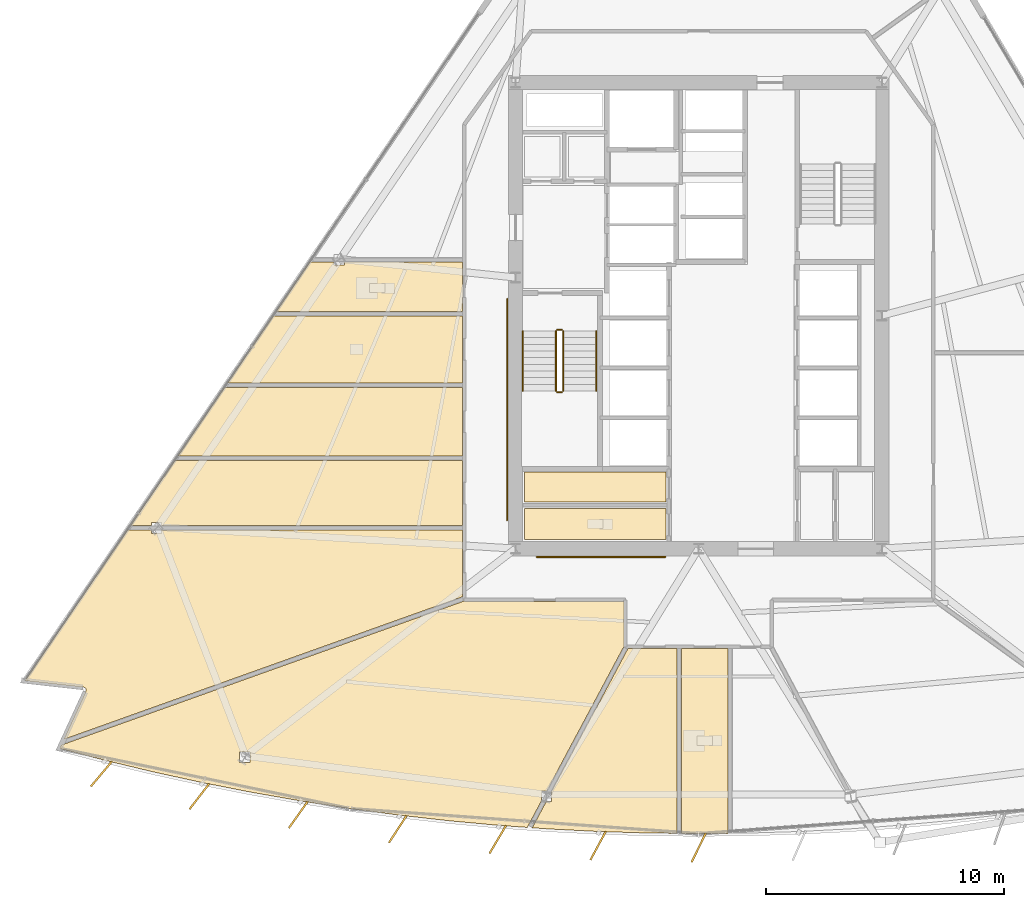
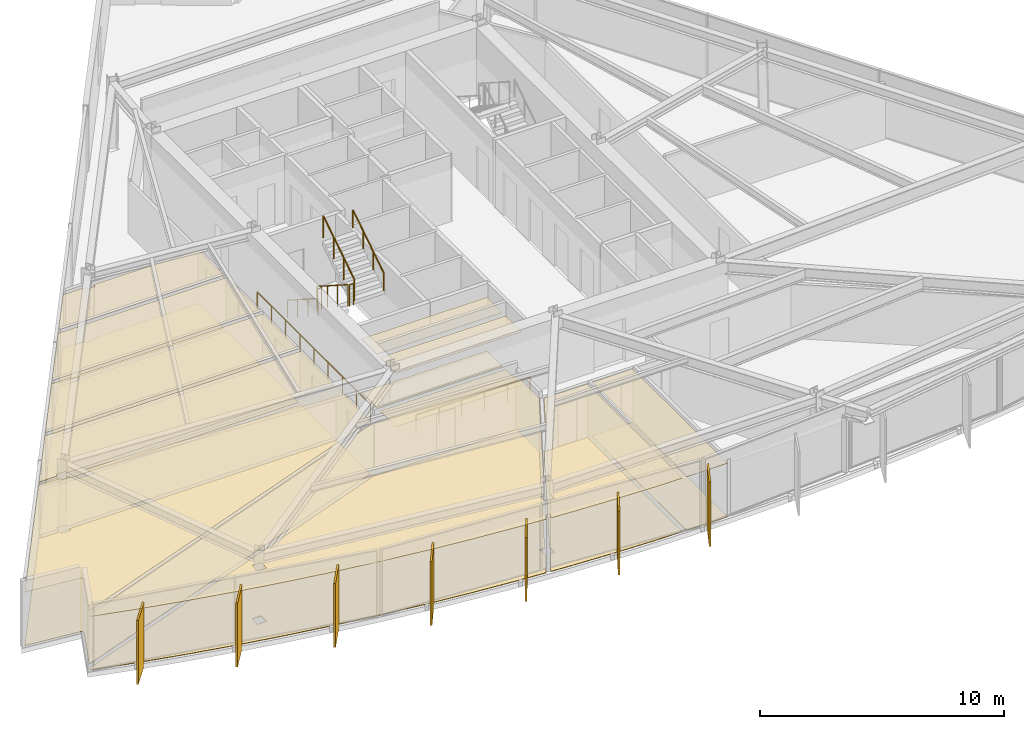
# One storey, part 11 of 15: 20 coverings, 8 railings, 7 shading devices.
"""IFC4 building model written with IfcOpenShell, lengths in metres."""

from ifc_helpers import new_model, si_unit, direction, frame, origin, origin_2d, place, context, subcontext, project, spatial, polyline, rectangle, circle, outline, extrude, material, layer, layer_set, type_object, element, save


model = new_model("IFC4")

# Units and contexts
model_context = context("Model", 3, precision=1e-05, world=origin(), true_north=direction((0.0, 1.0)))
body_context = subcontext(model_context, "Body", "Model", "MODEL_VIEW")
ifc_project = project(units=[si_unit("LENGTHUNIT", "METRE"), si_unit("AREAUNIT", "SQUARE_METRE"), si_unit("VOLUMEUNIT", "CUBIC_METRE"), si_unit("PLANEANGLEUNIT", "RADIAN"), si_unit("MASSUNIT", "GRAM", prefix="KILO")], contexts=[model_context])

# Site, building, storey
site_placement = place(None, origin())
site = spatial("IfcSite", under=ifc_project, at=site_placement, CompositionType="ELEMENT")
building_placement = place(site_placement, origin())
building = spatial("IfcBuilding", under=site, at=building_placement, Name="Savorim Split Tower", CompositionType="ELEMENT")
storey_placement = place(building_placement, frame((0.0, 0.0, 89.699951171875)))
storey = spatial("IfcBuildingStorey", under=building, at=storey_placement, Name="L23", CompositionType="ELEMENT", Elevation=89.699951171875)

# Coverings
ifc_material_1 = material(Name="Mineral Fibre Acoustic Ceiling")
ifc_layer_1 = layer(ifc_material_1, 0.02490234375)
ifc_layer_set_1 = layer_set([ifc_layer_1], Name="COV-CEIL-25")
covering_type_1 = type_object("IfcCoveringType", Name="COV-CEIL-25", PredefinedType="CEILING", material=ifc_layer_set_1)
covering_1_placement = place(storey_placement, frame((0.0, 0.0, 2.670166015625)))
element("IfcCovering", 1, at=covering_1_placement, inside=storey, type_object=covering_type_1, Name="L23 Cleaning Store Acoustic Ceiling", PredefinedType="CEILING", context=body_context, shape_type="SweptSolid", body=[
    extrude(outline(polyline([(-7.320068359375, -6.179931640625), (-7.320068359375, -7.43994140625), (-1.3798828125, -7.43994140625), (-1.3798828125, -6.179931640625), (-7.320068359375, -6.179931640625)])), origin(), (0.0, 0.0, 1.0), 0.02490234375),
])
covering_2_placement = place(storey_placement, frame((0.0, 0.0, 2.670166015625)))
element("IfcCovering", 2, at=covering_2_placement, inside=storey, type_object=covering_type_1, Name="L23 Public WC Acoustic Ceiling", PredefinedType="CEILING", context=body_context, shape_type="SweptSolid", body=[
    extrude(outline(polyline([(-7.320068359375, -7.719970703125), (-7.320068359375, -9.02001953125), (-1.3798828125, -9.02001953125), (-1.3798828125, -7.719970703125), (-7.320068359375, -7.719970703125)])), origin(), (0.0, 0.0, 1.0), 0.02490234375),
])
covering_3_placement = place(storey_placement, frame((0.0, 0.0, 2.670166015625)))
element("IfcCovering", 3, at=covering_3_placement, inside=storey, type_object=covering_type_1, Name="L23 Shared Kitchen Acoustic Ceiling", PredefinedType="CEILING", context=body_context, shape_type="SweptSolid", body=[
    extrude(outline(polyline([(-17.890380859375, 0.38671875), (-19.804931640625, -2.427978515625), (-9.919921875, -2.427978515625), (-9.919921875, 0.38671875), (-17.890380859375, 0.38671875)])), origin(), (0.0, 0.0, 1.0), 0.02490234375),
])
covering_4_placement = place(storey_placement, frame((0.0, 0.0, 2.670166015625)))
element("IfcCovering", 4, at=covering_4_placement, inside=storey, type_object=covering_type_1, Name="L23 Co-Living Bedroom Acoustic Ceiling", PredefinedType="CEILING", context=body_context, shape_type="SweptSolid", body=[
    extrude(outline(polyline([(-19.93408203125, -2.617919921875), (-21.900146484375, -5.5078125), (-9.919921875, -5.5078125), (-9.919921875, -2.617919921875), (-19.93408203125, -2.617919921875)])), origin(), (0.0, 0.0, 1.0), 0.02490234375),
])
covering_5_placement = place(storey_placement, frame((0.0, 0.0, 2.670166015625)))
element("IfcCovering", 5, at=covering_5_placement, inside=storey, type_object=covering_type_1, Name="L23 Quiet Study Room Acoustic Ceiling", PredefinedType="CEILING", context=body_context, shape_type="SweptSolid", body=[
    extrude(outline(polyline([(-22.579345703125, -8.309326171875), (-22.579345703125, -8.436767578125), (-9.919921875, -8.436767578125), (-9.919921875, -5.69775390625), (-22.029296875, -5.69775390625), (-23.892578125, -8.436767578125), (-23.00830078125, -8.436767578125), (-23.00830078125, -8.309326171875), (-22.579345703125, -8.309326171875)])), origin(), (0.0, 0.0, 1.0), 0.02490234375),
])
covering_6_placement = place(storey_placement, frame((0.0, 0.0, 2.670166015625)))
element("IfcCovering", 6, at=covering_6_placement, inside=storey, type_object=covering_type_1, Name="L23 Maker Workshop Acoustic Ceiling", PredefinedType="CEILING", context=body_context, shape_type="SweptSolid", body=[
    extrude(outline(polyline([(-25.751708984375, -15.35107421875), (-25.752685546875, -15.36279296875), (-25.7548828125, -15.374755859375), (-25.758056640625, -15.385986328125), (-25.7626953125, -15.397216796875), (-26.69140625, -17.4189453125), (-9.919921875, -11.421875), (-9.919921875, -8.626708984375), (-22.579345703125, -8.626708984375), (-22.579345703125, -8.75439453125), (-23.00830078125, -8.75439453125), (-23.00830078125, -8.626708984375), (-23.896728515625, -8.626708984375), (-23.99169921875, -8.626708984375), (-23.99169921875, -8.58251953125), (-28.3251953125, -14.952392578125), (-25.8583984375, -15.227783203125), (-25.846435546875, -15.229736328125), (-25.8349609375, -15.23291015625), (-25.82373046875, -15.237060546875), (-25.81298828125, -15.2421875), (-25.802978515625, -15.248779296875), (-25.79345703125, -15.256103515625), (-25.784912109375, -15.26416015625), (-25.777099609375, -15.273193359375), (-25.770263671875, -15.282958984375), (-25.764404296875, -15.293212890625), (-25.759521484375, -15.30419921875), (-25.755859375, -15.315673828125), (-25.75341796875, -15.3271484375), (-25.751953125, -15.339111328125), (-25.751708984375, -15.35107421875)])), origin(), (0.0, 0.0, 1.0), 0.02490234375),
])
covering_7_placement = place(storey_placement, frame((0.0, 0.0, 2.670166015625)))
element("IfcCovering", 7, at=covering_7_placement, inside=storey, type_object=covering_type_1, Name="L23 Co-Working Commons Acoustic Ceiling", PredefinedType="CEILING", context=body_context, shape_type="SweptSolid", body=[
    extrude(outline(polyline([(-9.820556640625, -11.614013671875), (-9.83349609375, -11.609375), (-9.845947265625, -11.603515625), (-9.8525390625, -11.599609375), (-26.802490234375, -17.660400390625), (-26.867919921875, -17.80322265625), (-24.9716796875, -18.29931640625), (-22.927490234375, -18.789306640625), (-20.873779296875, -19.237548828125), (-18.8115234375, -19.6435546875), (-16.7412109375, -20.00732421875), (-14.6640625, -20.32861328125), (-12.58056640625, -20.607421875), (-10.49169921875, -20.843505859375), (-8.398681640625, -21.036865234375), (-7.20068359375, -21.122802734375), (-7.204833984375, -21.12060546875), (-6.610595703125, -20.008544921875), (-6.610595703125, -19.5859375), (-6.385009765625, -19.5859375), (-3.149658203125, -13.528564453125), (-3.132080078125, -13.495849609375), (-3.134033203125, -13.490478515625), (-3.13720703125, -13.477294921875), (-3.139404296875, -13.463623046875), (-3.139892578125, -13.449951171875), (-3.139892578125, -11.6201171875), (-9.780029296875, -11.6201171875), (-9.793701171875, -11.619384765625), (-9.807373046875, -11.6171875), (-9.820556640625, -11.614013671875)]), holes=[polyline([(-19.298828125, -18.40185546875), (-18.869873046875, -18.40185546875), (-18.869873046875, -17.956787109375), (-19.298828125, -17.956787109375), (-19.298828125, -18.40185546875)])]), origin(), (0.0, 0.0, 1.0), 0.02490234375),
])
covering_8_placement = place(storey_placement, frame((0.0, 0.0, 2.670166015625)))
element("IfcCovering", 8, at=covering_8_placement, inside=storey, type_object=covering_type_1, Name="L23 Co-Living Bedroom Acoustic Ceiling", PredefinedType="CEILING", context=body_context, shape_type="SweptSolid", body=[
    extrude(outline(polyline([(-6.302001953125, -21.187255859375), (-4.202880859375, -21.294921875), (-2.101806640625, -21.359375), (-0.907470703125, -21.37158203125), (-0.907470703125, -13.590087890625), (-2.967041015625, -13.590087890625), (-6.181640625, -19.608642578125), (-6.181640625, -20.031005859375), (-6.4072265625, -20.031005859375), (-6.992431640625, -21.12646484375), (-6.998291015625, -21.137451171875), (-6.302001953125, -21.187255859375)])), origin(), (0.0, 0.0, 1.0), 0.02490234375),
])
covering_9_placement = place(storey_placement, frame((0.0, 0.0, 2.670166015625)))
element("IfcCovering", 9, at=covering_9_placement, inside=storey, type_object=covering_type_1, Name="L23 Shared Bathroom Acoustic Ceiling", PredefinedType="CEILING", context=body_context, shape_type="SweptSolid", body=[
    extrude(outline(polyline([(-0.717529296875, -13.590087890625), (-0.717529296875, -21.37353515625), (0.0, -21.380859375), (1.228759765625, -21.3681640625), (1.228759765625, -13.590087890625), (-0.717529296875, -13.590087890625)])), origin(), (0.0, 0.0, 1.0), 0.02490234375),
])
covering_10_placement = place(storey_placement, frame((0.0, 0.0, 2.670166015625)))
element("IfcCovering", 10, at=covering_10_placement, inside=storey, type_object=covering_type_1, Name="L23 Shared Bathroom Acoustic Ceiling", PredefinedType="CEILING", context=body_context, shape_type="SweptSolid", body=[
    extrude(outline(polyline([(-15.330322265625, 2.659912109375), (-16.21875, 2.659912109375), (-16.313720703125, 2.659912109375), (-16.313720703125, 2.7041015625), (-17.760986328125, 0.57666015625), (-9.919921875, 0.57666015625), (-9.919921875, 2.659912109375), (-14.9013671875, 2.659912109375), (-14.9013671875, 2.5322265625), (-15.330322265625, 2.5322265625), (-15.330322265625, 2.659912109375)])), origin(), (0.0, 0.0, 1.0), 0.02490234375),
])
ifc_material_2 = material(Name="Porcelain Stoneware Flooring", Category="masonry")
ifc_layer_2 = layer(ifc_material_2, 0.02001953125)
ifc_layer_set_2 = layer_set([ifc_layer_2], Name="COV-FLOR-20")
covering_type_2 = type_object("IfcCoveringType", Name="COV-FLOR-20", PredefinedType="FLOORING", material=ifc_layer_set_2)
covering_11_placement = place(storey_placement, origin())
element("IfcCovering", 11, at=covering_11_placement, inside=storey, type_object=covering_type_2, Name="L23 Cleaning Store Porcelain Flooring", PredefinedType="FLOORING", context=body_context, shape_type="SweptSolid", body=[
    extrude(outline(polyline([(-7.320068359375, -6.179931640625), (-7.320068359375, -7.43994140625), (-1.3798828125, -7.43994140625), (-1.3798828125, -6.179931640625), (-7.320068359375, -6.179931640625)])), origin(), (0.0, 0.0, 1.0), 0.02001953125),
])
covering_12_placement = place(storey_placement, origin())
element("IfcCovering", 12, at=covering_12_placement, inside=storey, type_object=covering_type_2, Name="L23 Public WC Porcelain Flooring", PredefinedType="FLOORING", context=body_context, shape_type="SweptSolid", body=[
    extrude(outline(polyline([(-7.320068359375, -7.719970703125), (-7.320068359375, -9.02001953125), (-1.3798828125, -9.02001953125), (-1.3798828125, -7.719970703125), (-7.320068359375, -7.719970703125)])), origin(), (0.0, 0.0, 1.0), 0.02001953125),
])
covering_13_placement = place(storey_placement, origin())
element("IfcCovering", 13, at=covering_13_placement, inside=storey, type_object=covering_type_2, Name="L23 Shared Kitchen Porcelain Flooring", PredefinedType="FLOORING", context=body_context, shape_type="SweptSolid", body=[
    extrude(outline(polyline([(-17.890380859375, 0.38671875), (-19.804931640625, -2.427978515625), (-9.919921875, -2.427978515625), (-9.919921875, 0.38671875), (-17.890380859375, 0.38671875)])), origin(), (0.0, 0.0, 1.0), 0.02001953125),
])
covering_14_placement = place(storey_placement, origin())
element("IfcCovering", 14, at=covering_14_placement, inside=storey, type_object=covering_type_2, Name="L23 Co-Living Bedroom Porcelain Flooring", PredefinedType="FLOORING", context=body_context, shape_type="SweptSolid", body=[
    extrude(outline(polyline([(-19.93408203125, -2.617919921875), (-21.900146484375, -5.5078125), (-9.919921875, -5.5078125), (-9.919921875, -2.617919921875), (-19.93408203125, -2.617919921875)])), origin(), (0.0, 0.0, 1.0), 0.02001953125),
])
covering_15_placement = place(storey_placement, origin())
element("IfcCovering", 15, at=covering_15_placement, inside=storey, type_object=covering_type_2, Name="L23 Quiet Study Room Porcelain Flooring", PredefinedType="FLOORING", context=body_context, shape_type="SweptSolid", body=[
    extrude(outline(polyline([(-22.579345703125, -8.309326171875), (-22.579345703125, -8.436767578125), (-9.919921875, -8.436767578125), (-9.919921875, -5.69775390625), (-22.029296875, -5.69775390625), (-23.892578125, -8.436767578125), (-23.00830078125, -8.436767578125), (-23.00830078125, -8.309326171875), (-22.579345703125, -8.309326171875)])), origin(), (0.0, 0.0, 1.0), 0.02001953125),
])
covering_16_placement = place(storey_placement, origin())
element("IfcCovering", 16, at=covering_16_placement, inside=storey, type_object=covering_type_2, Name="L23 Maker Workshop Porcelain Flooring", PredefinedType="FLOORING", context=body_context, shape_type="SweptSolid", body=[
    extrude(outline(polyline([(-25.751708984375, -15.35107421875), (-25.752685546875, -15.36279296875), (-25.7548828125, -15.374755859375), (-25.758056640625, -15.385986328125), (-25.7626953125, -15.397216796875), (-26.69140625, -17.4189453125), (-9.919921875, -11.421875), (-9.919921875, -8.626708984375), (-22.579345703125, -8.626708984375), (-22.579345703125, -8.75439453125), (-23.00830078125, -8.75439453125), (-23.00830078125, -8.626708984375), (-23.896728515625, -8.626708984375), (-23.99169921875, -8.626708984375), (-23.99169921875, -8.58251953125), (-28.3251953125, -14.952392578125), (-25.8583984375, -15.227783203125), (-25.846435546875, -15.229736328125), (-25.8349609375, -15.23291015625), (-25.82373046875, -15.237060546875), (-25.81298828125, -15.2421875), (-25.802978515625, -15.248779296875), (-25.79345703125, -15.256103515625), (-25.784912109375, -15.26416015625), (-25.777099609375, -15.273193359375), (-25.770263671875, -15.282958984375), (-25.764404296875, -15.293212890625), (-25.759521484375, -15.30419921875), (-25.755859375, -15.315673828125), (-25.75341796875, -15.3271484375), (-25.751953125, -15.339111328125), (-25.751708984375, -15.35107421875)])), origin(), (0.0, 0.0, 1.0), 0.02001953125),
])
covering_17_placement = place(storey_placement, origin())
element("IfcCovering", 17, at=covering_17_placement, inside=storey, type_object=covering_type_2, Name="L23 Co-Working Commons Porcelain Flooring", PredefinedType="FLOORING", context=body_context, shape_type="SweptSolid", body=[
    extrude(outline(polyline([(-9.820556640625, -11.614013671875), (-9.83349609375, -11.609375), (-9.845947265625, -11.603515625), (-9.8525390625, -11.599609375), (-26.802490234375, -17.660400390625), (-26.867919921875, -17.80322265625), (-24.9716796875, -18.29931640625), (-22.927490234375, -18.789306640625), (-20.873779296875, -19.237548828125), (-18.8115234375, -19.6435546875), (-16.7412109375, -20.00732421875), (-14.6640625, -20.32861328125), (-12.58056640625, -20.607421875), (-10.49169921875, -20.843505859375), (-8.398681640625, -21.036865234375), (-7.20068359375, -21.122802734375), (-7.204833984375, -21.12060546875), (-6.610595703125, -20.008544921875), (-6.610595703125, -19.5859375), (-6.385009765625, -19.5859375), (-3.149658203125, -13.528564453125), (-3.132080078125, -13.495849609375), (-3.134033203125, -13.490478515625), (-3.13720703125, -13.477294921875), (-3.139404296875, -13.463623046875), (-3.139892578125, -13.449951171875), (-3.139892578125, -11.6201171875), (-9.780029296875, -11.6201171875), (-9.793701171875, -11.619384765625), (-9.807373046875, -11.6171875), (-9.820556640625, -11.614013671875)]), holes=[polyline([(-19.298828125, -18.40185546875), (-18.869873046875, -18.40185546875), (-18.869873046875, -17.956787109375), (-19.298828125, -17.956787109375), (-19.298828125, -18.40185546875)])]), origin(), (0.0, 0.0, 1.0), 0.02001953125),
])
covering_18_placement = place(storey_placement, origin())
element("IfcCovering", 18, at=covering_18_placement, inside=storey, type_object=covering_type_2, Name="L23 Co-Living Bedroom Porcelain Flooring", PredefinedType="FLOORING", context=body_context, shape_type="SweptSolid", body=[
    extrude(outline(polyline([(-6.302001953125, -21.187255859375), (-4.202880859375, -21.294921875), (-2.101806640625, -21.359375), (-0.907470703125, -21.37158203125), (-0.907470703125, -13.590087890625), (-2.967041015625, -13.590087890625), (-6.181640625, -19.608642578125), (-6.181640625, -20.031005859375), (-6.4072265625, -20.031005859375), (-6.992431640625, -21.12646484375), (-6.998291015625, -21.137451171875), (-6.302001953125, -21.187255859375)])), origin(), (0.0, 0.0, 1.0), 0.02001953125),
])
covering_19_placement = place(storey_placement, origin())
element("IfcCovering", 19, at=covering_19_placement, inside=storey, type_object=covering_type_2, Name="L23 Shared Bathroom Porcelain Flooring", PredefinedType="FLOORING", context=body_context, shape_type="SweptSolid", body=[
    extrude(outline(polyline([(-0.717529296875, -13.590087890625), (-0.717529296875, -21.37353515625), (0.0, -21.380859375), (1.228759765625, -21.3681640625), (1.228759765625, -13.590087890625), (-0.717529296875, -13.590087890625)])), origin(), (0.0, 0.0, 1.0), 0.02001953125),
])
covering_20_placement = place(storey_placement, origin())
element("IfcCovering", 20, at=covering_20_placement, inside=storey, type_object=covering_type_2, Name="L23 Shared Bathroom Porcelain Flooring", PredefinedType="FLOORING", context=body_context, shape_type="SweptSolid", body=[
    extrude(outline(polyline([(-15.330322265625, 2.659912109375), (-16.21875, 2.659912109375), (-16.313720703125, 2.659912109375), (-16.313720703125, 2.7041015625), (-17.760986328125, 0.57666015625), (-9.919921875, 0.57666015625), (-9.919921875, 2.659912109375), (-14.9013671875, 2.659912109375), (-14.9013671875, 2.5322265625), (-15.330322265625, 2.5322265625), (-15.330322265625, 2.659912109375)])), origin(), (0.0, 0.0, 1.0), 0.02001953125),
])

# Railings
ifc_material_3 = material(Name="Galvanised Painted Steel Balustrade", Category="steel")
railing_type_1 = type_object("IfcRailingType", Name="RLG-HR-900", PredefinedType="HANDRAIL", material=ifc_material_3)
railing_1_placement = place(storey_placement, frame((-7.39990234375, -0.25, 0.179931640625)))
element("IfcRailing", 21, at=railing_1_placement, inside=storey, type_object=railing_type_1, Name="L23 ST-1 stair handrail 1", PredefinedType="HANDRAIL", context=body_context, shape_type="SweptSolid", body=[
    extrude(circle(Radius=0.02392578125, at=origin_2d()), frame((0.0, 0.0, 0.8759765625), z_axis=(0.0, -0.841162588446, 0.540782303519), x_axis=(1.0, 0.0, 0.0)), (0.0, 0.0, 1.0), 2.995849609375),
    extrude(circle(Radius=0.02099609375, at=origin_2d()), origin(), (0.0, 0.0, 1.0), 0.851806640625),
    extrude(circle(Radius=0.02099609375, at=origin_2d()), frame((0.0, -0.840087890625, 0.5400390625)), (0.0, 0.0, 1.0), 0.851806640625),
    extrude(circle(Radius=0.02099609375, at=origin_2d()), frame((0.0, -1.679931640625, 1.080078125)), (0.0, 0.0, 1.0), 0.851806640625),
    extrude(circle(Radius=0.02099609375, at=origin_2d()), frame((0.0, -2.52001953125, 1.6201171875)), (0.0, 0.0, 1.0), 0.851806640625),
])
railing_2_placement = place(storey_placement, frame((-4.300048828125, -2.77001953125, 1.97998046875)))
element("IfcRailing", 22, at=railing_2_placement, inside=storey, type_object=railing_type_1, Name="L23 ST-1 stair handrail 2", PredefinedType="HANDRAIL", context=body_context, shape_type="SweptSolid", body=[
    extrude(circle(Radius=0.02392578125, at=origin_2d()), frame((0.0, 0.0, 0.8759765625), z_axis=(0.0, 0.841162588446, 0.540782303519), x_axis=(-1.0, 0.0, 0.0)), (0.0, 0.0, 1.0), 2.995849609375),
    extrude(circle(Radius=0.02099609375, at=origin_2d()), origin(), (0.0, 0.0, 1.0), 0.851806640625),
    extrude(circle(Radius=0.02099609375, at=origin_2d()), frame((0.0, 0.840087890625, 0.5400390625)), (0.0, 0.0, 1.0), 0.851806640625),
    extrude(circle(Radius=0.02099609375, at=origin_2d()), frame((0.0, 1.679931640625, 1.080078125)), (0.0, 0.0, 1.0), 0.851806640625),
    extrude(circle(Radius=0.02099609375, at=origin_2d()), frame((0.0, 2.52001953125, 1.6201171875)), (0.0, 0.0, 1.0), 0.851806640625),
])
railing_3_placement = place(storey_placement, frame((-6.800048828125, -9.75, 0.0)))
element("IfcRailing", 23, at=railing_3_placement, inside=storey, type_object=railing_type_1, Name="L23 Corridor South Accessible Handrail", PredefinedType="HANDRAIL", context=body_context, shape_type="SweptSolid", body=[
    extrude(circle(Radius=0.02392578125, at=origin_2d()), frame((0.0, 0.0, 0.8759765625), z_axis=(1.0, 0.0, 0.0), x_axis=(0.0, 1.0, 0.0)), (0.0, 0.0, 1.0), 5.400146484375),
    extrude(circle(Radius=0.02099609375, at=origin_2d()), origin(), (0.0, 0.0, 1.0), 0.851806640625),
    extrude(circle(Radius=0.02099609375, at=origin_2d()), frame((1.080078125, 0.0, 0.0)), (0.0, 0.0, 1.0), 0.851806640625),
    extrude(circle(Radius=0.02099609375, at=origin_2d()), frame((2.16015625, 0.0, 0.0)), (0.0, 0.0, 1.0), 0.851806640625),
    extrude(circle(Radius=0.02099609375, at=origin_2d()), frame((3.239990234375, 0.0, 0.0)), (0.0, 0.0, 1.0), 0.851806640625),
    extrude(circle(Radius=0.02099609375, at=origin_2d()), frame((4.320068359375, 0.0, 0.0)), (0.0, 0.0, 1.0), 0.851806640625),
    extrude(circle(Radius=0.02099609375, at=origin_2d()), frame((5.400146484375, 0.0, 0.0)), (0.0, 0.0, 1.0), 0.851806640625),
])
railing_4_placement = place(storey_placement, frame((-8.050048828125, -8.199951171875, 0.0)))
element("IfcRailing", 24, at=railing_4_placement, inside=storey, type_object=railing_type_1, Name="L23 Corridor West Accessible Handrail", PredefinedType="HANDRAIL", context=body_context, shape_type="SweptSolid", body=[
    extrude(circle(Radius=0.02392578125, at=origin_2d()), frame((0.0, 0.0, 0.8759765625), z_axis=(0.0, 1.0, 0.0), x_axis=(-1.0, 0.0, 0.0)), (0.0, 0.0, 1.0), 9.300048828125),
    extrude(circle(Radius=0.02099609375, at=origin_2d()), origin(), (0.0, 0.0, 1.0), 0.851806640625),
    extrude(circle(Radius=0.02099609375, at=origin_2d()), frame((0.0, 1.16259765625, 0.0)), (0.0, 0.0, 1.0), 0.851806640625),
    extrude(circle(Radius=0.02099609375, at=origin_2d()), frame((0.0, 2.324951171875, 0.0)), (0.0, 0.0, 1.0), 0.851806640625),
    extrude(circle(Radius=0.02099609375, at=origin_2d()), frame((0.0, 3.487548828125, 0.0)), (0.0, 0.0, 1.0), 0.851806640625),
    extrude(circle(Radius=0.02099609375, at=origin_2d()), frame((0.0, 4.64990234375, 0.0)), (0.0, 0.0, 1.0), 0.851806640625),
    extrude(circle(Radius=0.02099609375, at=origin_2d()), frame((0.0, 5.8125, 0.0)), (0.0, 0.0, 1.0), 0.851806640625),
    extrude(circle(Radius=0.02099609375, at=origin_2d()), frame((0.0, 6.97509765625, 0.0)), (0.0, 0.0, 1.0), 0.851806640625),
    extrude(circle(Radius=0.02099609375, at=origin_2d()), frame((0.0, 8.137451171875, 0.0)), (0.0, 0.0, 1.0), 0.851806640625),
    extrude(circle(Radius=0.02099609375, at=origin_2d()), frame((0.0, 9.300048828125, 0.0)), (0.0, 0.0, 1.0), 0.851806640625),
])
railing_type_2 = type_object("IfcRailingType", Name="RLG-STG-1100", PredefinedType="BALUSTRADE", material=ifc_material_3)
railing_5_placement = place(storey_placement, frame((-6.0, -0.25, 0.179931640625)))
element("IfcRailing", 25, at=railing_5_placement, inside=storey, type_object=railing_type_2, Name="L23 ST-1 stair guard 1", PredefinedType="BALUSTRADE", context=body_context, shape_type="SweptSolid", body=[
    extrude(circle(Radius=0.02392578125, at=origin_2d()), frame((0.0, 0.0, 1.076171875), z_axis=(0.0, -0.841162588446, 0.540782303519), x_axis=(1.0, 0.0, 0.0)), (0.0, 0.0, 1.0), 2.995849609375),
    extrude(circle(Radius=0.02099609375, at=origin_2d()), origin(), (0.0, 0.0, 1.0), 1.052001953125),
    extrude(circle(Radius=0.02099609375, at=origin_2d()), frame((0.0, -0.840087890625, 0.5400390625)), (0.0, 0.0, 1.0), 1.052001953125),
    extrude(circle(Radius=0.02099609375, at=origin_2d()), frame((0.0, -1.679931640625, 1.080078125)), (0.0, 0.0, 1.0), 1.052001953125),
    extrude(circle(Radius=0.02099609375, at=origin_2d()), frame((0.0, -2.52001953125, 1.6201171875)), (0.0, 0.0, 1.0), 1.052001953125),
])
railing_6_placement = place(storey_placement, frame((-5.949951171875, -2.820068359375, 1.800048828125)))
element("IfcRailing", 26, at=railing_6_placement, inside=storey, type_object=railing_type_2, Name="L23 ST-1 stair guard 2", PredefinedType="BALUSTRADE", context=body_context, shape_type="SweptSolid", body=[
    extrude(circle(Radius=0.02392578125, at=origin_2d()), frame((0.0, 0.0, 1.076171875), z_axis=(1.0, 0.0, 0.0), x_axis=(0.0, 1.0, 0.0)), (0.0, 0.0, 1.0), 0.199951171875),
    extrude(circle(Radius=0.02099609375, at=origin_2d()), origin(), (0.0, 0.0, 1.0), 1.052001953125),
    extrude(circle(Radius=0.02099609375, at=origin_2d()), frame((0.199951171875, 0.0, 0.0)), (0.0, 0.0, 1.0), 1.052001953125),
])
railing_7_placement = place(storey_placement, frame((-5.699951171875, -2.77001953125, 1.97998046875)))
element("IfcRailing", 27, at=railing_7_placement, inside=storey, type_object=railing_type_2, Name="L23 ST-1 stair guard 3", PredefinedType="BALUSTRADE", context=body_context, shape_type="SweptSolid", body=[
    extrude(circle(Radius=0.02392578125, at=origin_2d()), frame((0.0, 0.0, 1.076171875), z_axis=(0.0, 0.841162588446, 0.540782303519), x_axis=(-1.0, 0.0, 0.0)), (0.0, 0.0, 1.0), 2.995849609375),
    extrude(circle(Radius=0.02099609375, at=origin_2d()), origin(), (0.0, 0.0, 1.0), 1.052001953125),
    extrude(circle(Radius=0.02099609375, at=origin_2d()), frame((0.0, 0.840087890625, 0.5400390625)), (0.0, 0.0, 1.0), 1.052001953125),
    extrude(circle(Radius=0.02099609375, at=origin_2d()), frame((0.0, 1.679931640625, 1.080078125)), (0.0, 0.0, 1.0), 1.052001953125),
    extrude(circle(Radius=0.02099609375, at=origin_2d()), frame((0.0, 2.52001953125, 1.6201171875)), (0.0, 0.0, 1.0), 1.052001953125),
])
railing_8_placement = place(storey_placement, frame((-5.949951171875, -0.199951171875, 0.0)))
element("IfcRailing", 28, at=railing_8_placement, inside=storey, type_object=railing_type_2, Name="L23 ST-1 stair guard 4", PredefinedType="BALUSTRADE", context=body_context, shape_type="SweptSolid", body=[
    extrude(circle(Radius=0.02392578125, at=origin_2d()), frame((0.0, 0.0, 1.076171875), z_axis=(1.0, 0.0, 0.0), x_axis=(0.0, 1.0, 0.0)), (0.0, 0.0, 1.0), 0.199951171875),
    extrude(circle(Radius=0.02099609375, at=origin_2d()), origin(), (0.0, 0.0, 1.0), 1.052001953125),
    extrude(circle(Radius=0.02099609375, at=origin_2d()), frame((0.199951171875, 0.0, 0.0)), (0.0, 0.0, 1.0), 1.052001953125),
])

# Shading devices
ifc_material_4 = material(Name="Terracotta Ceramic-Coated Aluminium Fin", Category="masonry")
shading_device_type = type_object("IfcShadingDeviceType", Name="SHD-FIN-1360", PredefinedType="USERDEFINED", material=ifc_material_4)
for number, where, z_axis, x_axis, name in (
    (29, (-25.116455078125, -18.87744140625, -0.19970703125), (0.0, 0.0, 1.0), (-0.643719022682, -0.765261928909, 0.0), "L23 Sawtooth Shading Fin 01"),
    (30, (-20.9951171875, -19.821044921875, -0.19970703125), (0.0, 0.0, 1.0), (-0.611868076908, -0.790959832394, 0.0), "L23 Sawtooth Shading Fin 02"),
    (31, (-16.83837890625, -20.595458984375, -0.19970703125), (0.0, 0.0, 1.0), (-0.578993757737, -0.815331974414, 0.0), "L23 Sawtooth Shading Fin 03"),
    (32, (-12.653564453125, -21.198974609375, -0.19970703125), (0.0, 0.0, 1.0), (-0.545148321708, -0.838339613366, 0.0), "L23 Sawtooth Shading Fin 04"),
    (33, (-8.447509765625, -21.630859375, -0.19970703125), (0.0, 0.0, 1.0), (-0.510391336723, -0.859942255851, 0.0), "L23 Sawtooth Shading Fin 05"),
    (34, (-4.227294921875, -21.890380859375, -0.19970703125), (0.0, 0.0, 1.0), (-0.474778051978, -0.880105562623, 0.0), "L23 Sawtooth Shading Fin 06"),
    (35, (0.0, -21.976806640625, -0.19970703125), (0.0, 0.0, 1.0), (-0.438371146789, -0.898794046299, 0.0), "L23 Sawtooth Shading Fin 07"),
):
    element("IfcShadingDevice", number, at=place(storey_placement, frame(where, z_axis=z_axis, x_axis=x_axis)), inside=storey, type_object=shading_device_type, Name=name, ObjectType="FIN", PredefinedType="USERDEFINED", context=body_context, shape_type="SweptSolid", body=[
        extrude(rectangle(XDim=1.360107421875, YDim=0.080078125, at=origin_2d()), origin(), (0.0, 0.0, 1.0), 3.199951171875),
    ])

save(model, "model.ifc")
